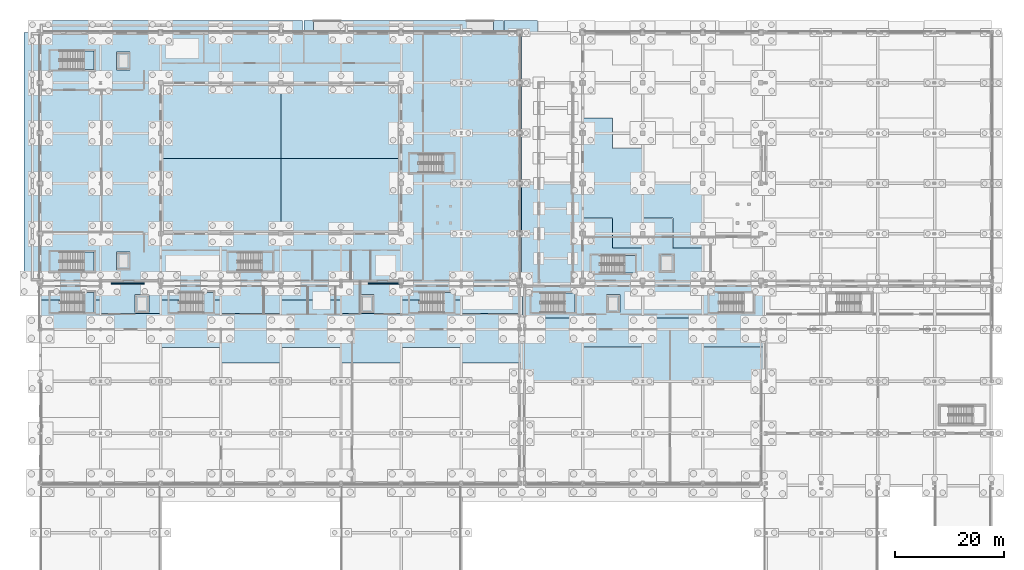
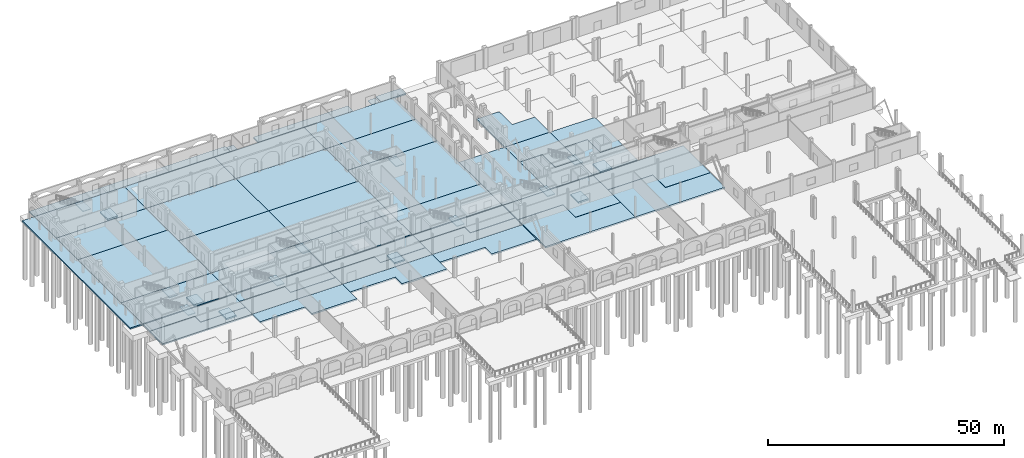
# One storey, part 37 of 83: 60 slabs, 9 elements without a shape of their own.
"""IFC4 building model written with IfcOpenShell, lengths in metres."""

import ifcopenshell
import ifcopenshell.guid

model = None  # the IFC model being written
_history = None  # IfcOwnerHistory: only IFC2X3 demands one
_inside = {}  # id of a spatial element -> (the spatial element, [elements in it])
_under = {}  # id of a project, library or spatial element -> (it, [spatial elements below it])
_declared = {}  # id of a project -> (the project, [libraries it declares])
_typed = {}  # id of a type object -> (the type object, [elements of that type])
_made_of = {}  # id of a material, layer set ... -> (it, [elements and type objects made of it])


def new_model(schema):
    """Start an empty IFC model of exactly this schema.

    Asked for "IFC4X3", IfcOpenShell would pick the latest addendum, in which some entities
    have other attributes; the version numbers below select the first issue.
    IFC2X3 requires an IfcOwnerHistory on every rooted entity: one is made here for all.
    """
    global model, _history
    if schema == "IFC4X3":
        model = ifcopenshell.file(schema_version=(4, 3, 0, 0))
    else:
        model = ifcopenshell.file(schema=schema)
    _inside.clear()
    _under.clear()
    _declared.clear()
    _typed.clear()
    _made_of.clear()
    _history = None
    if model.schema == "IFC2X3":
        org = make("IfcOrganization", Name="unknown")
        user = make(
            "IfcPersonAndOrganization",
            ThePerson=make("IfcPerson", FamilyName="unknown"),
            TheOrganization=org,
        )
        app = make(
            "IfcApplication",
            ApplicationDeveloper=org,
            Version="unknown",
            ApplicationFullName="unknown",
            ApplicationIdentifier="unknown",
        )
        _history = make(
            "IfcOwnerHistory",
            OwningUser=user,
            OwningApplication=app,
            ChangeAction="ADDED",
            CreationDate=0,
        )
    return model


def make(cls, **values):
    """One entity of the class cls with the attributes given. An attribute that is None is left unset."""
    return model.create_entity(
        cls, **{name: value for name, value in values.items() if value is not None}
    )


def rooted(cls, **values):
    """An entity with a GlobalId (a new one), such as an element, a storey or a relation."""
    return make(cls, GlobalId=ifcopenshell.guid.new(), OwnerHistory=_history, **values)


def si_unit(unit_type, name, prefix=None):
    """IfcSIUnit, for example si_unit("LENGTHUNIT", "METRE", prefix="MILLI")."""
    return make("IfcSIUnit", UnitType=unit_type, Prefix=prefix, Name=name)


def assignment(units):
    """IfcUnitAssignment: the units of a project."""
    return None if units is None else make("IfcUnitAssignment", Units=units)


def point(xyz):
    """IfcCartesianPoint."""
    return None if xyz is None else make("IfcCartesianPoint", Coordinates=xyz)


def direction(xyz):
    """IfcDirection."""
    return None if xyz is None else make("IfcDirection", DirectionRatios=xyz)


def frame(location, z_axis=None, x_axis=None):
    """IfcAxis2Placement3D, a coordinate frame: its origin and axes. An axis left out is left unset."""
    return make(
        "IfcAxis2Placement3D",
        Location=point(location),
        Axis=direction(z_axis),
        RefDirection=direction(x_axis),
    )


def origin():
    """The frame at (0, 0, 0) with its axes left unset."""
    return frame((0.0, 0.0, 0.0))


def place(relative_to, where):
    """IfcLocalPlacement: puts the frame where relative to a parent placement (None: the world)."""
    return make(
        "IfcLocalPlacement", PlacementRelTo=relative_to, RelativePlacement=where
    )


def context(
    kind, dimensions, precision=None, world=None, true_north=None, identifier=None
):
    """IfcGeometricRepresentationContext, for example the 3D "Model" context."""
    return make(
        "IfcGeometricRepresentationContext",
        ContextIdentifier=identifier,
        ContextType=kind,
        CoordinateSpaceDimension=dimensions,
        Precision=precision,
        WorldCoordinateSystem=world,
        TrueNorth=true_north,
    )


def subcontext(parent, identifier, kind, view, scale=None):
    """IfcGeometricRepresentationSubContext, for example "Body" below "Model"."""
    return make(
        "IfcGeometricRepresentationSubContext",
        ContextIdentifier=identifier,
        ContextType=kind,
        ParentContext=parent,
        TargetScale=scale,
        TargetView=view,
    )


def project(units=None, contexts=None):
    """IfcProject with its units and contexts."""
    return rooted(
        "IfcProject",
        Name="project",
        RepresentationContexts=contexts,
        UnitsInContext=assignment(units),
    )


def spatial(cls, under=None, at=None, **own):
    """A site, building, storey or space (cls), placed at a placement, below another one or the project."""
    s = rooted(cls, ObjectPlacement=at, **own)
    if under is not None:
        _under.setdefault(under.id(), (under, []))[1].append(s)
    return s


def polyline(points):
    """IfcPolyline through the points."""
    return make("IfcPolyline", Points=[point(p) for p in points])


def outline(outer, holes=None, kind="AREA"):
    """IfcArbitraryClosedProfileDef: a profile drawn as a closed curve; with holes, ...WithVoids."""
    if holes is None:
        return make("IfcArbitraryClosedProfileDef", ProfileType=kind, OuterCurve=outer)
    return make(
        "IfcArbitraryProfileDefWithVoids",
        ProfileType=kind,
        OuterCurve=outer,
        InnerCurves=holes,
    )


def extrude(swept, where, along, depth):
    """IfcExtrudedAreaSolid: the profile swept, set in the frame where, extruded along a direction by depth."""
    return make(
        "IfcExtrudedAreaSolid",
        SweptArea=swept,
        Position=where,
        ExtrudedDirection=direction(along),
        Depth=depth,
    )


def shape(context_of_items, identifier, shape_type, items):
    """IfcShapeRepresentation: the items that make up one representation, for example the "Body"."""
    return make(
        "IfcShapeRepresentation",
        ContextOfItems=context_of_items,
        RepresentationIdentifier=identifier,
        RepresentationType=shape_type,
        Items=items,
    )


def material(Name=None, Category=None):
    """IfcMaterial."""
    return make("IfcMaterial", Name=Name, Category=Category)


def layer(
    of_material, thickness, ventilated=None, Name=None, Category=None, Priority=None
):
    """IfcMaterialLayer: one layer of a wall or slab, of a material (None: an air gap)."""
    return make(
        "IfcMaterialLayer",
        Material=of_material,
        LayerThickness=thickness,
        IsVentilated=ventilated,
        Name=Name,
        Category=Category,
        Priority=Priority,
    )


def layer_set(layers, Name=None):
    """IfcMaterialLayerSet."""
    return make("IfcMaterialLayerSet", MaterialLayers=layers, LayerSetName=Name)


def made_of(thing, what):
    """Note that an element or type object is made of a material, layer set ...; save() writes the relation."""
    if what is not None:
        _made_of.setdefault(what.id(), (what, []))[1].append(thing)
    return thing


def type_object(cls, material=None, **own):
    """A type object (cls), such as IfcWallType, which elements share."""
    return made_of(rooted(cls, **own), material)


def element(
    cls,
    number,
    at=None,
    inside=None,
    cuts=None,
    type_object=None,
    material=None,
    context=None,
    identifier="Body",
    shape_type=None,
    held_by="IfcProductDefinitionShape",
    body=None,
    shapes=None,
    **own,
):
    """One element of the class cls, such as IfcWall. Its Tag is "e" and its number.

    at: its placement. inside: the storey or other place that contains it. cuts: it is an
    opening in that element (IfcRelVoidsElement). A single representation is given by context,
    identifier, shape_type and body (its items); several are given by shapes. held_by: the class
    of the entity that holds the representations. save() writes the other relations.
    """
    e = rooted(cls, Tag="e%d" % number, ObjectPlacement=at, **own)
    if body is not None:
        shapes = [shape(context, identifier, shape_type, body)]
    if shapes is not None:
        e.Representation = make(held_by, Representations=shapes)
    if inside is not None:
        _inside.setdefault(inside.id(), (inside, []))[1].append(e)
    if cuts is not None:
        rooted(
            "IfcRelVoidsElement", RelatingBuildingElement=cuts, RelatedOpeningElement=e
        )
    if type_object is not None:
        _typed.setdefault(type_object.id(), (type_object, []))[1].append(e)
    return made_of(e, material)


def aggregate(whole, parts):
    """IfcRelAggregates: a whole, such as a stair, and the parts it consists of."""
    return rooted("IfcRelAggregates", RelatingObject=whole, RelatedObjects=parts)


def save(model, path):
    """Write the relations noted so far, then the file.

    IfcRelAggregates (storeys below a building ...), IfcRelContainedInSpatialStructure (elements
    in a storey), IfcRelDefinesByType, IfcRelAssociatesMaterial and IfcRelDeclares: one each for
    every whole, place, type object, material and project.
    """
    for whole, parts in _under.values():
        aggregate(whole, parts)
    for where, things in _inside.values():
        rooted(
            "IfcRelContainedInSpatialStructure",
            RelatedElements=things,
            RelatingStructure=where,
        )
    for kind, things in _typed.values():
        rooted("IfcRelDefinesByType", RelatedObjects=things, RelatingType=kind)
    for what, things in _made_of.values():
        rooted("IfcRelAssociatesMaterial", RelatedObjects=things, RelatingMaterial=what)
    for by, libraries in _declared.values():
        rooted("IfcRelDeclares", RelatingContext=by, RelatedDefinitions=libraries)
    model.write(path)


model = new_model("IFC4")

# Units and contexts
model_context = context("Model", 3, precision=1e-05, world=origin(), true_north=direction((0.0, 1.0)))
body_context = subcontext(model_context, "Body", "Model", "MODEL_VIEW")
ifc_project = project(units=[si_unit("LENGTHUNIT", "METRE"), si_unit("AREAUNIT", "SQUARE_METRE"), si_unit("VOLUMEUNIT", "CUBIC_METRE"), si_unit("PLANEANGLEUNIT", "RADIAN"), si_unit("MASSUNIT", "GRAM", prefix="KILO")], contexts=[model_context])

# Site, building, storey
site_placement = place(None, origin())
site = spatial("IfcSite", under=ifc_project, at=site_placement, CompositionType="ELEMENT")
building_placement = place(site_placement, origin())
building = spatial("IfcBuilding", under=site, at=building_placement, Name="Caurita Quay Ferry Terminal", CompositionType="ELEMENT")
storey_placement = place(building_placement, origin())
storey = spatial("IfcBuildingStorey", under=building, at=storey_placement, Name="L00", CompositionType="ELEMENT", Elevation=0.0)

# Slabs
ifc_material_1 = material(Name="Reinforced concrete C35/45", Category="concrete")
ifc_layer_1 = layer(ifc_material_1, 0.219970703125, Name="Reinforced concrete floor slab 220 mm")
ifc_layer_set_1 = layer_set([ifc_layer_1], Name="Reinforced concrete C35/45")
slab_type_1 = type_object("IfcSlabType", Name="SLB-FLR-220", PredefinedType="FLOOR", material=ifc_layer_set_1)
slab_1_placement = place(storey_placement, frame((0.0, 0.0, -0.219970703125)))
element("IfcSlab", 1, at=slab_1_placement, inside=storey, type_object=slab_type_1, Name="L00 SJ4-W Slab 01", PredefinedType="FLOOR", context=body_context, shape_type="SweptSolid", body=[
    extrude(outline(polyline([(13.0, 71.0), (19.0, 71.0), (19.0, 71.18994140625), (13.0, 71.18994140625), (13.0, 71.0)])), origin(), (0.0, 0.0, 1.0), 0.219970703125),
])
slab_2_placement = place(storey_placement, frame((0.0, 0.0, -0.219970703125)))
element("IfcSlab", 2, at=slab_2_placement, inside=storey, type_object=slab_type_1, Name="L00 SJ4-E Slab 01", PredefinedType="FLOOR", context=body_context, shape_type="SweptSolid", body=[
    extrude(outline(polyline([(60.0, 71.0), (66.0, 71.0), (66.0, 71.18994140625), (60.0, 71.18994140625), (60.0, 71.0)])), origin(), (0.0, 0.0, 1.0), 0.219970703125),
])

# Stair, slab
stair_type_1 = type_object("IfcStairType", Name="STR-DL-01", PredefinedType="HALF_TURN_STAIR", material=ifc_material_1)
stair_1_placement = place(storey_placement, origin())
stair_1 = element("IfcStair", 3, at=stair_1_placement, inside=storey, type_object=stair_type_1, Name="L00 Protected Exit Stair ST-01", PredefinedType="HALF_TURN_STAIR")
ifc_layer_2 = layer(ifc_material_1, 0.199951171875, Name="Reinforced concrete landing slab 200 mm")
ifc_layer_set_2 = layer_set([ifc_layer_2], Name="Reinforced concrete C35/45")
slab_type_2 = type_object("IfcSlabType", Name="SLB-LND-200", PredefinedType="LANDING", material=ifc_layer_set_2)
slab_3_placement = place(storey_placement, frame((0.0, 0.0, 2.5)))
slab_3 = element("IfcSlab", 4, at=slab_3_placement, type_object=slab_type_2, Name="ST-01 landing 1", PredefinedType="LANDING", context=body_context, shape_type="SweptSolid", body=[
    extrude(outline(polyline([(7.949951171875, 110.199951171875), (9.85009765625, 110.199951171875), (9.85009765625, 113.659912109375), (7.949951171875, 113.659912109375), (7.949951171875, 110.199951171875)])), origin(), (0.0, 0.0, 1.0), 0.199951171875),
])
aggregate(stair_1, [slab_3])

stair_2_placement = place(storey_placement, origin())
stair_2 = element("IfcStair", 5, at=stair_2_placement, inside=storey, type_object=stair_type_1, Name="L00 Protected Exit Stair ST-02", PredefinedType="HALF_TURN_STAIR")
slab_4_placement = place(storey_placement, frame((0.0, 0.0, 2.5)))
slab_4 = element("IfcSlab", 6, at=slab_4_placement, type_object=slab_type_2, Name="ST-02 landing 1", PredefinedType="LANDING", context=body_context, shape_type="SweptSolid", body=[
    extrude(outline(polyline([(7.949951171875, 73.39990234375), (9.85009765625, 73.39990234375), (9.85009765625, 76.860107421875), (7.949951171875, 76.860107421875), (7.949951171875, 73.39990234375)])), origin(), (0.0, 0.0, 1.0), 0.199951171875),
])
aggregate(stair_2, [slab_4])

stair_type_2 = type_object("IfcStairType", Name="STR-DL-04", PredefinedType="HALF_TURN_STAIR", material=ifc_material_1)
stair_3_placement = place(storey_placement, origin())
stair_3 = element("IfcStair", 7, at=stair_3_placement, inside=storey, type_object=stair_type_2, Name="L00 Protected Exit Stair ST-03", PredefinedType="HALF_TURN_STAIR")
slab_5_placement = place(storey_placement, frame((0.0, 0.0, 2.5)))
slab_5 = element("IfcSlab", 8, at=slab_5_placement, type_object=slab_type_2, Name="ST-03 landing 1", PredefinedType="LANDING", context=body_context, shape_type="SweptSolid", body=[
    extrude(outline(polyline([(40.5, 73.39990234375), (42.449951171875, 73.39990234375), (42.449951171875, 76.760009765625), (40.5, 76.760009765625), (40.5, 73.39990234375)])), origin(), (0.0, 0.0, 1.0), 0.199951171875),
])
aggregate(stair_3, [slab_5])

stair_4_placement = place(storey_placement, origin())
stair_4 = element("IfcStair", 9, at=stair_4_placement, inside=storey, type_object=stair_type_2, Name="L00 Protected Exit Stair ST-04", PredefinedType="HALF_TURN_STAIR")
slab_6_placement = place(storey_placement, frame((0.0, 0.0, 2.5)))
slab_6 = element("IfcSlab", 10, at=slab_6_placement, type_object=slab_type_2, Name="ST-04 landing 1", PredefinedType="LANDING", context=body_context, shape_type="SweptSolid", body=[
    extrude(outline(polyline([(73.699951171875, 91.39990234375), (75.64990234375, 91.39990234375), (75.64990234375, 94.760009765625), (73.699951171875, 94.760009765625), (73.699951171875, 91.39990234375)])), origin(), (0.0, 0.0, 1.0), 0.199951171875),
])
aggregate(stair_4, [slab_6])

stair_type_3 = type_object("IfcStairType", Name="STR-DL-07", PredefinedType="HALF_TURN_STAIR", material=ifc_material_1)
stair_5_placement = place(storey_placement, origin())
stair_5 = element("IfcStair", 11, at=stair_5_placement, inside=storey, type_object=stair_type_3, Name="L00 Protected Exit Stair ST-05", PredefinedType="HALF_TURN_STAIR")
slab_7_placement = place(storey_placement, frame((0.0, 0.0, 2.5)))
slab_7 = element("IfcSlab", 12, at=slab_7_placement, type_object=slab_type_2, Name="ST-05 landing 1", PredefinedType="LANDING", context=body_context, shape_type="SweptSolid", body=[
    extrude(outline(polyline([(8.050048828125, 65.800048828125), (9.85009765625, 65.800048828125), (9.85009765625, 69.4599609375), (8.050048828125, 69.4599609375), (8.050048828125, 65.800048828125)])), origin(), (0.0, 0.0, 1.0), 0.199951171875),
])
aggregate(stair_5, [slab_7])

stair_6_placement = place(storey_placement, origin())
stair_6 = element("IfcStair", 13, at=stair_6_placement, inside=storey, type_object=stair_type_3, Name="L00 Protected Exit Stair ST-06", PredefinedType="HALF_TURN_STAIR")
slab_8_placement = place(storey_placement, frame((0.0, 0.0, 2.5)))
slab_8 = element("IfcSlab", 14, at=slab_8_placement, type_object=slab_type_2, Name="ST-06 landing 1", PredefinedType="LANDING", context=body_context, shape_type="SweptSolid", body=[
    extrude(outline(polyline([(29.85009765625, 65.800048828125), (31.64990234375, 65.800048828125), (31.64990234375, 69.4599609375), (29.85009765625, 69.4599609375), (29.85009765625, 65.800048828125)])), origin(), (0.0, 0.0, 1.0), 0.199951171875),
])
aggregate(stair_6, [slab_8])

stair_7_placement = place(storey_placement, origin())
stair_7 = element("IfcStair", 15, at=stair_7_placement, inside=storey, type_object=stair_type_3, Name="L00 Protected Exit Stair ST-07", PredefinedType="HALF_TURN_STAIR")
slab_9_placement = place(storey_placement, frame((0.0, 0.0, 2.5)))
slab_9 = element("IfcSlab", 16, at=slab_9_placement, type_object=slab_type_2, Name="ST-07 landing 1", PredefinedType="LANDING", context=body_context, shape_type="SweptSolid", body=[
    extrude(outline(polyline([(73.85009765625, 65.800048828125), (75.64990234375, 65.800048828125), (75.64990234375, 69.4599609375), (73.85009765625, 69.4599609375), (73.85009765625, 65.800048828125)])), origin(), (0.0, 0.0, 1.0), 0.199951171875),
])
aggregate(stair_7, [slab_9])

stair_type_4 = type_object("IfcStairType", Name="STR-DL-10", PredefinedType="HALF_TURN_STAIR", material=ifc_material_1)
stair_8_placement = place(storey_placement, origin())
stair_8 = element("IfcStair", 17, at=stair_8_placement, inside=storey, type_object=stair_type_4, Name="L00 Protected Exit Stair ST-08", PredefinedType="HALF_TURN_STAIR")
slab_10_placement = place(storey_placement, frame((0.0, 0.0, 2.5)))
slab_10 = element("IfcSlab", 18, at=slab_10_placement, type_object=slab_type_2, Name="ST-08 landing 1", PredefinedType="LANDING", context=body_context, shape_type="SweptSolid", body=[
    extrude(outline(polyline([(96.0, 65.800048828125), (97.85009765625, 65.800048828125), (97.85009765625, 69.360107421875), (96.0, 69.360107421875), (96.0, 65.800048828125)])), origin(), (0.0, 0.0, 1.0), 0.199951171875),
])
aggregate(stair_8, [slab_10])

stair_type_5 = type_object("IfcStairType", Name="STR-DL-12", PredefinedType="HALF_TURN_STAIR", material=ifc_material_1)
stair_9_placement = place(storey_placement, origin())
stair_9 = element("IfcStair", 19, at=stair_9_placement, inside=storey, type_object=stair_type_5, Name="L00 Protected Exit Stair ST-12", PredefinedType="HALF_TURN_STAIR")
slab_11_placement = place(storey_placement, frame((0.0, 0.0, 2.5)))
slab_11 = element("IfcSlab", 20, at=slab_11_placement, type_object=slab_type_2, Name="ST-12 landing 1", PredefinedType="LANDING", context=body_context, shape_type="SweptSolid", body=[
    extrude(outline(polyline([(106.85009765625, 73.0), (108.85009765625, 73.0), (108.85009765625, 76.260009765625), (106.85009765625, 76.260009765625), (106.85009765625, 73.0)])), origin(), (0.0, 0.0, 1.0), 0.199951171875),
])
aggregate(stair_9, [slab_11])

# Slabs
slab_12_placement = place(storey_placement, frame((0.0, 0.0, -0.550048828125)))
element("IfcSlab", 21, at=slab_12_placement, inside=storey, type_object=slab_type_2, Name="Forecourt West Accessible Entry Ramp Lower Threshold Landing", PredefinedType="LANDING", context=body_context, shape_type="SweptSolid", body=[
    extrude(outline(polyline([(48.199951171875, 117.14990234375), (50.0, 117.14990234375), (50.0, 119.25), (48.199951171875, 119.25), (48.199951171875, 117.14990234375)])), origin(), (0.0, 0.0, 1.0), 0.199951171875),
])
slab_13_placement = place(storey_placement, frame((0.0, 0.0, -0.550048828125)))
element("IfcSlab", 22, at=slab_13_placement, inside=storey, type_object=slab_type_2, Name="Forecourt East Accessible Entry Ramp Lower Threshold Landing", PredefinedType="LANDING", context=body_context, shape_type="SweptSolid", body=[
    extrude(outline(polyline([(82.89990234375, 117.14990234375), (84.699951171875, 117.14990234375), (84.699951171875, 119.25), (82.89990234375, 119.25), (82.89990234375, 117.14990234375)])), origin(), (0.0, 0.0, 1.0), 0.199951171875),
])
ifc_material_2 = material(Name="Marine reinforced concrete C40/50", Category="concrete")
ifc_layer_3 = layer(ifc_material_2, 0.340087890625, Name="Reinforced concrete baseslab slab 340 mm")
ifc_layer_set_3 = layer_set([ifc_layer_3], Name="Marine reinforced concrete C40/50")
slab_type_3 = type_object("IfcSlabType", Name="SLB-QUAY-340", PredefinedType="BASESLAB", material=ifc_layer_set_3)
slab_14_placement = place(storey_placement, frame((0.0, 0.0, -0.340087890625)))
element("IfcSlab", 23, at=slab_14_placement, inside=storey, type_object=slab_type_3, Name="L00 NTH-WLK1 Slab 01", PredefinedType="BASESLAB", context=body_context, shape_type="SweptSolid", body=[
    extrude(outline(polyline([(0.0, 117.02001953125), (47.949951171875, 117.02001953125), (47.949951171875, 119.25), (0.0, 119.25), (0.0, 117.02001953125)])), origin(), (0.0, 0.0, 1.0), 0.340087890625),
])
slab_15_placement = place(storey_placement, frame((0.0, 0.0, -0.340087890625)))
element("IfcSlab", 24, at=slab_15_placement, inside=storey, type_object=slab_type_3, Name="L00 NTH-WLK3 Slab 01", PredefinedType="BASESLAB", context=body_context, shape_type="SweptSolid", body=[
    extrude(outline(polyline([(84.85009765625, 117.02001953125), (90.969970703125, 117.02001953125), (90.969970703125, 119.25), (84.85009765625, 119.25), (84.85009765625, 117.02001953125)])), origin(), (0.0, 0.0, 1.0), 0.340087890625),
])
slab_16_placement = place(storey_placement, frame((0.0, 0.0, -0.340087890625)))
element("IfcSlab", 25, at=slab_16_placement, inside=storey, type_object=slab_type_3, Name="L00 WST-WLK Slab 01", PredefinedType="BASESLAB", context=body_context, shape_type="SweptSolid", body=[
    extrude(outline(polyline([(-3.0, 71.199951171875), (0.0, 71.199951171875), (0.0, 117.0), (-3.0, 117.0), (-3.0, 71.199951171875)])), origin(), (0.0, 0.0, 1.0), 0.340087890625),
])
ifc_layer_4 = layer(ifc_material_2, 0.39990234375, Name="Reinforced concrete baseslab slab 400 mm")
ifc_layer_set_4 = layer_set([ifc_layer_4], Name="Marine reinforced concrete C40/50")
slab_type_4 = type_object("IfcSlabType", Name="SLB-QUAY-400", PredefinedType="BASESLAB", material=ifc_layer_set_4)
slab_17_placement = place(storey_placement, frame((0.0, 0.0, -0.39990234375)))
element("IfcSlab", 26, at=slab_17_placement, inside=storey, type_object=slab_type_4, Name="L00 V1-BASE Slab 02A", PredefinedType="BASESLAB", context=body_context, shape_type="SweptSolid", body=[
    extrude(outline(polyline([(0.0, 62.699951171875), (22.0, 62.699951171875), (22.0, 65.590087890625), (10.985107421875, 65.590087890625), (10.985107421875, 68.080078125), (0.0, 68.080078125), (0.0, 62.699951171875)])), origin(), (0.0, 0.0, 1.0), 0.39990234375),
])
slab_18_placement = place(storey_placement, frame((0.0, 0.0, -0.39990234375)))
element("IfcSlab", 27, at=slab_18_placement, inside=storey, type_object=slab_type_4, Name="L00 V1-BASE Slab 02B", PredefinedType="BASESLAB", context=body_context, shape_type="SweptSolid", body=[
    extrude(outline(polyline([(11.014892578125, 65.6201171875), (22.0, 65.6201171875), (22.0, 71.0), (0.0, 71.0), (0.0, 68.110107421875), (11.014892578125, 68.110107421875), (11.014892578125, 65.6201171875)])), origin(), (0.0, 0.0, 1.0), 0.39990234375),
])
slab_19_placement = place(storey_placement, frame((0.0, 0.0, -0.39990234375)))
element("IfcSlab", 28, at=slab_19_placement, inside=storey, type_object=slab_type_4, Name="L00 V1-BASE Slab 03B", PredefinedType="BASESLAB", context=body_context, shape_type="SweptSolid", body=[
    extrude(outline(polyline([(33.014892578125, 56.5400390625), (44.0, 56.5400390625), (44.0, 62.699951171875), (22.0, 62.699951171875), (22.0, 59.389892578125), (33.014892578125, 59.389892578125), (33.014892578125, 56.5400390625)])), origin(), (0.0, 0.0, 1.0), 0.39990234375),
])
slab_20_placement = place(storey_placement, frame((0.0, 0.0, -0.39990234375)))
element("IfcSlab", 29, at=slab_20_placement, inside=storey, type_object=slab_type_4, Name="L00 V1-BASE Slab 04A", PredefinedType="BASESLAB", context=body_context, shape_type="SweptSolid", body=[
    extrude(outline(polyline([(22.0, 62.699951171875), (44.0, 62.699951171875), (44.0, 65.590087890625), (32.985107421875, 65.590087890625), (32.985107421875, 68.080078125), (22.0, 68.080078125), (22.0, 62.699951171875)])), origin(), (0.0, 0.0, 1.0), 0.39990234375),
])
slab_21_placement = place(storey_placement, frame((0.0, 0.0, -0.39990234375)))
element("IfcSlab", 30, at=slab_21_placement, inside=storey, type_object=slab_type_4, Name="L00 V1-BASE Slab 04B", PredefinedType="BASESLAB", context=body_context, shape_type="SweptSolid", body=[
    extrude(outline(polyline([(33.014892578125, 65.6201171875), (44.0, 65.6201171875), (44.0, 71.0), (22.0, 71.0), (22.0, 68.110107421875), (33.014892578125, 68.110107421875), (33.014892578125, 65.6201171875)])), origin(), (0.0, 0.0, 1.0), 0.39990234375),
])
slab_22_placement = place(storey_placement, frame((0.0, 0.0, -0.39990234375)))
element("IfcSlab", 31, at=slab_22_placement, inside=storey, type_object=slab_type_4, Name="L00 V1-BASE Slab 05B", PredefinedType="BASESLAB", context=body_context, shape_type="SweptSolid", body=[
    extrude(outline(polyline([(55.014892578125, 56.5400390625), (66.0, 56.5400390625), (66.0, 62.699951171875), (44.0, 62.699951171875), (44.0, 59.389892578125), (55.014892578125, 59.389892578125), (55.014892578125, 56.5400390625)])), origin(), (0.0, 0.0, 1.0), 0.39990234375),
])
slab_23_placement = place(storey_placement, frame((0.0, 0.0, -0.39990234375)))
element("IfcSlab", 32, at=slab_23_placement, inside=storey, type_object=slab_type_4, Name="L00 V1-BASE Slab 06A", PredefinedType="BASESLAB", context=body_context, shape_type="SweptSolid", body=[
    extrude(outline(polyline([(44.0, 62.699951171875), (66.0, 62.699951171875), (66.0, 65.590087890625), (54.985107421875, 65.590087890625), (54.985107421875, 68.080078125), (44.0, 68.080078125), (44.0, 62.699951171875)])), origin(), (0.0, 0.0, 1.0), 0.39990234375),
])
slab_24_placement = place(storey_placement, frame((0.0, 0.0, -0.39990234375)))
element("IfcSlab", 33, at=slab_24_placement, inside=storey, type_object=slab_type_4, Name="L00 V1-BASE Slab 06B", PredefinedType="BASESLAB", context=body_context, shape_type="SweptSolid", body=[
    extrude(outline(polyline([(55.014892578125, 65.6201171875), (66.0, 65.6201171875), (66.0, 71.0), (44.0, 71.0), (44.0, 68.110107421875), (55.014892578125, 68.110107421875), (55.014892578125, 65.6201171875)])), origin(), (0.0, 0.0, 1.0), 0.39990234375),
])
slab_25_placement = place(storey_placement, frame((0.0, 0.0, -0.39990234375)))
element("IfcSlab", 34, at=slab_25_placement, inside=storey, type_object=slab_type_4, Name="L00 V1-BASE Slab 07B", PredefinedType="BASESLAB", context=body_context, shape_type="SweptSolid", body=[
    extrude(outline(polyline([(77.014892578125, 56.5400390625), (88.0, 56.5400390625), (88.0, 62.699951171875), (66.0, 62.699951171875), (66.0, 59.389892578125), (77.014892578125, 59.389892578125), (77.014892578125, 56.5400390625)])), origin(), (0.0, 0.0, 1.0), 0.39990234375),
])
slab_26_placement = place(storey_placement, frame((0.0, 0.0, -0.39990234375)))
element("IfcSlab", 35, at=slab_26_placement, inside=storey, type_object=slab_type_4, Name="L00 V1-BASE Slab 08A", PredefinedType="BASESLAB", context=body_context, shape_type="SweptSolid", body=[
    extrude(outline(polyline([(66.0, 62.699951171875), (88.0, 62.699951171875), (88.0, 65.590087890625), (76.985107421875, 65.590087890625), (76.985107421875, 68.080078125), (66.0, 68.080078125), (66.0, 62.699951171875)])), origin(), (0.0, 0.0, 1.0), 0.39990234375),
])
slab_27_placement = place(storey_placement, frame((0.0, 0.0, -0.39990234375)))
element("IfcSlab", 36, at=slab_27_placement, inside=storey, type_object=slab_type_4, Name="L00 V1-BASE Slab 08B", PredefinedType="BASESLAB", context=body_context, shape_type="SweptSolid", body=[
    extrude(outline(polyline([(77.014892578125, 65.6201171875), (88.0, 65.6201171875), (88.0, 71.0), (66.0, 71.0), (66.0, 68.110107421875), (77.014892578125, 68.110107421875), (77.014892578125, 65.6201171875)])), origin(), (0.0, 0.0, 1.0), 0.39990234375),
])
slab_28_placement = place(storey_placement, frame((0.0, 0.0, -0.39990234375)))
element("IfcSlab", 37, at=slab_28_placement, inside=storey, type_object=slab_type_4, Name="L00 V2-BASE Slab 02A", PredefinedType="BASESLAB", context=body_context, shape_type="SweptSolid", body=[
    extrude(outline(polyline([(88.199951171875, 53.199951171875), (110.199951171875, 53.199951171875), (110.199951171875, 59.4150390625), (99.18505859375, 59.4150390625), (99.18505859375, 64.7548828125), (88.199951171875, 64.7548828125), (88.199951171875, 53.199951171875)])), origin(), (0.0, 0.0, 1.0), 0.39990234375),
])
slab_29_placement = place(storey_placement, frame((0.0, 0.0, -0.39990234375)))
element("IfcSlab", 38, at=slab_29_placement, inside=storey, type_object=slab_type_4, Name="L00 V2-BASE Slab 02B", PredefinedType="BASESLAB", context=body_context, shape_type="SweptSolid", body=[
    extrude(outline(polyline([(99.215087890625, 59.445068359375), (110.199951171875, 59.445068359375), (110.199951171875, 71.0), (88.199951171875, 71.0), (88.199951171875, 64.784912109375), (99.215087890625, 64.784912109375), (99.215087890625, 59.445068359375)])), origin(), (0.0, 0.0, 1.0), 0.39990234375),
])
slab_30_placement = place(storey_placement, frame((0.0, 0.0, -0.39990234375)))
element("IfcSlab", 39, at=slab_30_placement, inside=storey, type_object=slab_type_4, Name="L00 V2-BASE Slab 04A", PredefinedType="BASESLAB", context=body_context, shape_type="SweptSolid", body=[
    extrude(outline(polyline([(110.199951171875, 53.199951171875), (132.199951171875, 53.199951171875), (132.199951171875, 59.4150390625), (121.18505859375, 59.4150390625), (121.18505859375, 64.7548828125), (110.199951171875, 64.7548828125), (110.199951171875, 53.199951171875)])), origin(), (0.0, 0.0, 1.0), 0.39990234375),
])
slab_31_placement = place(storey_placement, frame((0.0, 0.0, -0.39990234375)))
element("IfcSlab", 40, at=slab_31_placement, inside=storey, type_object=slab_type_4, Name="L00 V2-BASE Slab 04B", PredefinedType="BASESLAB", context=body_context, shape_type="SweptSolid", body=[
    extrude(outline(polyline([(121.215087890625, 59.445068359375), (132.199951171875, 59.445068359375), (132.199951171875, 71.0), (110.199951171875, 71.0), (110.199951171875, 64.784912109375), (121.215087890625, 64.784912109375), (121.215087890625, 59.445068359375)])), origin(), (0.0, 0.0, 1.0), 0.39990234375),
])
slab_32_placement = place(storey_placement, frame((0.0, 0.0, -0.39990234375)))
element("IfcSlab", 41, at=slab_32_placement, inside=storey, type_object=slab_type_4, Name="L00 V4W-BASE Slab 01A", PredefinedType="BASESLAB", context=body_context, shape_type="SweptSolid", body=[
    extrude(outline(polyline([(99.199951171875, 71.199951171875), (110.199951171875, 71.199951171875), (110.199951171875, 77.554931640625), (104.68505859375, 77.554931640625), (104.68505859375, 83.014892578125), (99.199951171875, 83.014892578125), (99.199951171875, 71.199951171875)])), origin(), (0.0, 0.0, 1.0), 0.39990234375),
])
slab_33_placement = place(storey_placement, frame((0.0, 0.0, -0.39990234375)))
element("IfcSlab", 42, at=slab_33_placement, inside=storey, type_object=slab_type_4, Name="L00 V4W-BASE Slab 01B", PredefinedType="BASESLAB", context=body_context, shape_type="SweptSolid", body=[
    extrude(outline(polyline([(104.715087890625, 77.5849609375), (110.199951171875, 77.5849609375), (110.199951171875, 89.39990234375), (99.199951171875, 89.39990234375), (99.199951171875, 83.044921875), (104.715087890625, 83.044921875), (104.715087890625, 77.5849609375)])), origin(), (0.0, 0.0, 1.0), 0.39990234375),
])
slab_34_placement = place(storey_placement, frame((0.0, 0.0, -0.39990234375)))
element("IfcSlab", 43, at=slab_34_placement, inside=storey, type_object=slab_type_4, Name="L00 V4W-BASE Slab 02A", PredefinedType="BASESLAB", context=body_context, shape_type="SweptSolid", body=[
    extrude(outline(polyline([(99.199951171875, 89.39990234375), (110.199951171875, 89.39990234375), (110.199951171875, 95.824951171875), (104.68505859375, 95.824951171875), (104.68505859375, 101.344970703125), (99.199951171875, 101.344970703125), (99.199951171875, 89.39990234375)])), origin(), (0.0, 0.0, 1.0), 0.39990234375),
])
slab_35_placement = place(storey_placement, frame((0.0, 0.0, -0.39990234375)))
element("IfcSlab", 44, at=slab_35_placement, inside=storey, type_object=slab_type_4, Name="L00 V4W-BASE Slab 04A", PredefinedType="BASESLAB", context=body_context, shape_type="SweptSolid", body=[
    extrude(outline(polyline([(110.199951171875, 71.199951171875), (121.199951171875, 71.199951171875), (121.199951171875, 77.554931640625), (115.68505859375, 77.554931640625), (115.68505859375, 83.014892578125), (110.199951171875, 83.014892578125), (110.199951171875, 71.199951171875)])), origin(), (0.0, 0.0, 1.0), 0.39990234375),
])
slab_36_placement = place(storey_placement, frame((0.0, 0.0, -0.39990234375)))
element("IfcSlab", 45, at=slab_36_placement, inside=storey, type_object=slab_type_4, Name="L00 V4W-BASE Slab 04B", PredefinedType="BASESLAB", context=body_context, shape_type="SweptSolid", body=[
    extrude(outline(polyline([(115.715087890625, 77.5849609375), (121.199951171875, 77.5849609375), (121.199951171875, 89.39990234375), (110.199951171875, 89.39990234375), (110.199951171875, 83.044921875), (115.715087890625, 83.044921875), (115.715087890625, 77.5849609375)])), origin(), (0.0, 0.0, 1.0), 0.39990234375),
])
slab_37_placement = place(storey_placement, frame((0.0, 0.0, -0.39990234375)))
element("IfcSlab", 46, at=slab_37_placement, inside=storey, type_object=slab_type_4, Name="L00 V5-BASE Slab 01", PredefinedType="BASESLAB", context=body_context, shape_type="SweptSolid", body=[
    extrude(outline(polyline([(0.0, 71.199951171875), (22.0, 71.199951171875), (22.0, 80.199951171875), (0.0, 80.199951171875), (0.0, 71.199951171875)])), origin(), (0.0, 0.0, 1.0), 0.39990234375),
])
slab_38_placement = place(storey_placement, frame((0.0, 0.0, -0.39990234375)))
element("IfcSlab", 47, at=slab_38_placement, inside=storey, type_object=slab_type_4, Name="L00 V5-BASE Slab 02", PredefinedType="BASESLAB", context=body_context, shape_type="SweptSolid", body=[
    extrude(outline(polyline([(0.0, 80.199951171875), (22.0, 80.199951171875), (22.0, 98.60009765625), (0.0, 98.60009765625), (0.0, 80.199951171875)])), origin(), (0.0, 0.0, 1.0), 0.39990234375),
])
slab_39_placement = place(storey_placement, frame((0.0, 0.0, -0.39990234375)))
element("IfcSlab", 48, at=slab_39_placement, inside=storey, type_object=slab_type_4, Name="L00 V5-BASE Slab 03", PredefinedType="BASESLAB", context=body_context, shape_type="SweptSolid", body=[
    extrude(outline(polyline([(0.0, 98.60009765625), (22.0, 98.60009765625), (22.0, 107.800048828125), (0.0, 107.800048828125), (0.0, 98.60009765625)])), origin(), (0.0, 0.0, 1.0), 0.39990234375),
])
slab_40_placement = place(storey_placement, frame((0.0, 0.0, -0.39990234375)))
element("IfcSlab", 49, at=slab_40_placement, inside=storey, type_object=slab_type_4, Name="L00 V5-BASE Slab 04", PredefinedType="BASESLAB", context=body_context, shape_type="SweptSolid", body=[
    extrude(outline(polyline([(0.0, 107.800048828125), (22.0, 107.800048828125), (22.0, 117.0), (0.0, 117.0), (0.0, 107.800048828125)])), origin(), (0.0, 0.0, 1.0), 0.39990234375),
])
slab_41_placement = place(storey_placement, frame((0.0, 0.0, -0.39990234375)))
element("IfcSlab", 50, at=slab_41_placement, inside=storey, type_object=slab_type_4, Name="L00 V5-BASE Slab 05", PredefinedType="BASESLAB", context=body_context, shape_type="SweptSolid", body=[
    extrude(outline(polyline([(22.0, 71.199951171875), (44.0, 71.199951171875), (44.0, 80.199951171875), (22.0, 80.199951171875), (22.0, 71.199951171875)])), origin(), (0.0, 0.0, 1.0), 0.39990234375),
])
slab_42_placement = place(storey_placement, frame((0.0, 0.0, -0.39990234375)))
element("IfcSlab", 51, at=slab_42_placement, inside=storey, type_object=slab_type_4, Name="L00 V5-BASE Slab 06", PredefinedType="BASESLAB", context=body_context, shape_type="SweptSolid", body=[
    extrude(outline(polyline([(22.0, 107.800048828125), (44.0, 107.800048828125), (44.0, 117.0), (22.0, 117.0), (22.0, 107.800048828125)])), origin(), (0.0, 0.0, 1.0), 0.39990234375),
])
slab_43_placement = place(storey_placement, frame((0.0, 0.0, -0.39990234375)))
element("IfcSlab", 52, at=slab_43_placement, inside=storey, type_object=slab_type_4, Name="L00 V5-BASE Slab 07", PredefinedType="BASESLAB", context=body_context, shape_type="SweptSolid", body=[
    extrude(outline(polyline([(44.0, 71.199951171875), (66.0, 71.199951171875), (66.0, 80.199951171875), (44.0, 80.199951171875), (44.0, 71.199951171875)])), origin(), (0.0, 0.0, 1.0), 0.39990234375),
])
slab_44_placement = place(storey_placement, frame((0.0, 0.0, -0.39990234375)))
element("IfcSlab", 53, at=slab_44_placement, inside=storey, type_object=slab_type_4, Name="L00 V5-BASE Slab 08", PredefinedType="BASESLAB", context=body_context, shape_type="SweptSolid", body=[
    extrude(outline(polyline([(44.0, 107.800048828125), (66.0, 107.800048828125), (66.0, 117.0), (44.0, 117.0), (44.0, 107.800048828125)])), origin(), (0.0, 0.0, 1.0), 0.39990234375),
])
slab_45_placement = place(storey_placement, frame((0.0, 0.0, -0.39990234375)))
element("IfcSlab", 54, at=slab_45_placement, inside=storey, type_object=slab_type_4, Name="L00 V5-BASE Slab 09", PredefinedType="BASESLAB", context=body_context, shape_type="SweptSolid", body=[
    extrude(outline(polyline([(66.0, 71.199951171875), (88.0, 71.199951171875), (88.0, 80.199951171875), (66.0, 80.199951171875), (66.0, 71.199951171875)])), origin(), (0.0, 0.0, 1.0), 0.39990234375),
])
slab_46_placement = place(storey_placement, frame((0.0, 0.0, -0.39990234375)))
element("IfcSlab", 55, at=slab_46_placement, inside=storey, type_object=slab_type_4, Name="L00 V5-BASE Slab 10", PredefinedType="BASESLAB", context=body_context, shape_type="SweptSolid", body=[
    extrude(outline(polyline([(66.0, 80.199951171875), (88.0, 80.199951171875), (88.0, 98.60009765625), (66.0, 98.60009765625), (66.0, 80.199951171875)])), origin(), (0.0, 0.0, 1.0), 0.39990234375),
])
slab_47_placement = place(storey_placement, frame((0.0, 0.0, -0.39990234375)))
element("IfcSlab", 56, at=slab_47_placement, inside=storey, type_object=slab_type_4, Name="L00 V5-BASE Slab 11", PredefinedType="BASESLAB", context=body_context, shape_type="SweptSolid", body=[
    extrude(outline(polyline([(66.0, 98.60009765625), (88.0, 98.60009765625), (88.0, 107.800048828125), (66.0, 107.800048828125), (66.0, 98.60009765625)])), origin(), (0.0, 0.0, 1.0), 0.39990234375),
])
slab_48_placement = place(storey_placement, frame((0.0, 0.0, -0.39990234375)))
element("IfcSlab", 57, at=slab_48_placement, inside=storey, type_object=slab_type_4, Name="L00 V5-BASE Slab 12", PredefinedType="BASESLAB", context=body_context, shape_type="SweptSolid", body=[
    extrude(outline(polyline([(66.0, 107.800048828125), (88.0, 107.800048828125), (88.0, 117.0), (66.0, 117.0), (66.0, 107.800048828125)])), origin(), (0.0, 0.0, 1.0), 0.39990234375),
])
slab_49_placement = place(storey_placement, frame((0.0, 0.0, -0.39990234375)))
element("IfcSlab", 58, at=slab_49_placement, inside=storey, type_object=slab_type_4, Name="L00 NTH-WLK2 Slab 01", PredefinedType="BASESLAB", context=body_context, shape_type="SweptSolid", body=[
    extrude(outline(polyline([(54.85009765625, 117.02001953125), (78.050048828125, 117.02001953125), (78.050048828125, 119.25), (54.85009765625, 119.25), (54.85009765625, 117.02001953125)])), origin(), (0.0, 0.0, 1.0), 0.39990234375),
])
slab_50_placement = place(storey_placement, frame((0.0, 0.0, -1.800048828125)))
element("IfcSlab", 59, at=slab_50_placement, inside=storey, type_object=slab_type_4, Name="Lift LF-01 Pit Base Slab", PredefinedType="BASESLAB", context=body_context, shape_type="SweptSolid", body=[
    extrude(outline(polyline([(13.955078125, 110.155029296875), (16.445068359375, 110.155029296875), (16.445068359375, 113.445068359375), (13.955078125, 113.445068359375), (13.955078125, 110.155029296875)])), origin(), (0.0, 0.0, 1.0), 0.400146484375),
])
slab_51_placement = place(storey_placement, frame((0.0, 0.0, -1.800048828125)))
element("IfcSlab", 60, at=slab_51_placement, inside=storey, type_object=slab_type_4, Name="Lift LF-02 Pit Base Slab", PredefinedType="BASESLAB", context=body_context, shape_type="SweptSolid", body=[
    extrude(outline(polyline([(13.955078125, 73.554931640625), (16.445068359375, 73.554931640625), (16.445068359375, 76.844970703125), (13.955078125, 76.844970703125), (13.955078125, 73.554931640625)])), origin(), (0.0, 0.0, 1.0), 0.400146484375),
])
slab_52_placement = place(storey_placement, frame((0.0, 0.0, -1.800048828125)))
element("IfcSlab", 61, at=slab_52_placement, inside=storey, type_object=slab_type_4, Name="Lift LP-01 Pit Base Slab", PredefinedType="BASESLAB", context=body_context, shape_type="SweptSolid", body=[
    extrude(outline(polyline([(17.35498046875, 65.7548828125), (19.844970703125, 65.7548828125), (19.844970703125, 69.044921875), (17.35498046875, 69.044921875), (17.35498046875, 65.7548828125)])), origin(), (0.0, 0.0, 1.0), 0.400146484375),
])
slab_53_placement = place(storey_placement, frame((0.0, 0.0, -1.800048828125)))
element("IfcSlab", 62, at=slab_53_placement, inside=storey, type_object=slab_type_4, Name="Lift LP-02 Pit Base Slab", PredefinedType="BASESLAB", context=body_context, shape_type="SweptSolid", body=[
    extrude(outline(polyline([(58.554931640625, 65.7548828125), (61.044921875, 65.7548828125), (61.044921875, 69.044921875), (58.554931640625, 69.044921875), (58.554931640625, 65.7548828125)])), origin(), (0.0, 0.0, 1.0), 0.400146484375),
])
slab_54_placement = place(storey_placement, frame((0.0, 0.0, -1.800048828125)))
element("IfcSlab", 63, at=slab_54_placement, inside=storey, type_object=slab_type_4, Name="Lift LP-03 Pit Base Slab", PredefinedType="BASESLAB", context=body_context, shape_type="SweptSolid", body=[
    extrude(outline(polyline([(103.554931640625, 65.7548828125), (106.044921875, 65.7548828125), (106.044921875, 69.044921875), (103.554931640625, 69.044921875), (103.554931640625, 65.7548828125)])), origin(), (0.0, 0.0, 1.0), 0.400146484375),
])
slab_55_placement = place(storey_placement, frame((0.0, 0.0, -1.800048828125)))
element("IfcSlab", 64, at=slab_55_placement, inside=storey, type_object=slab_type_4, Name="Lift LG-01 Pit Base Slab", PredefinedType="BASESLAB", context=body_context, shape_type="SweptSolid", body=[
    extrude(outline(polyline([(113.179931640625, 73.080078125), (116.02001953125, 73.080078125), (116.02001953125, 76.52001953125), (113.179931640625, 76.52001953125), (113.179931640625, 73.080078125)])), origin(), (0.0, 0.0, 1.0), 0.400146484375),
])
ifc_layer_5 = layer(ifc_material_2, 0.360107421875, Name="Reinforced concrete baseslab slab 360 mm")
ifc_layer_set_5 = layer_set([ifc_layer_5], Name="Marine reinforced concrete C40/50")
slab_type_5 = type_object("IfcSlabType", Name="SLB-RORO-360", PredefinedType="BASESLAB", material=ifc_layer_set_5)
slab_56_placement = place(storey_placement, frame((0.0, 0.0, -0.360107421875)))
element("IfcSlab", 65, at=slab_56_placement, inside=storey, type_object=slab_type_5, Name="L00 V5-CRTYD Slab 01", PredefinedType="BASESLAB", context=body_context, shape_type="SweptSolid", body=[
    extrude(outline(polyline([(22.0, 80.199951171875), (44.0, 80.199951171875), (44.0, 94.0), (22.0, 94.0), (22.0, 80.199951171875)])), origin(), (0.0, 0.0, 1.0), 0.360107421875),
])
slab_57_placement = place(storey_placement, frame((0.0, 0.0, -0.360107421875)))
element("IfcSlab", 66, at=slab_57_placement, inside=storey, type_object=slab_type_5, Name="L00 V5-CRTYD Slab 02", PredefinedType="BASESLAB", context=body_context, shape_type="SweptSolid", body=[
    extrude(outline(polyline([(22.0, 94.0), (44.0, 94.0), (44.0, 107.800048828125), (22.0, 107.800048828125), (22.0, 94.0)])), origin(), (0.0, 0.0, 1.0), 0.360107421875),
])
slab_58_placement = place(storey_placement, frame((0.0, 0.0, -0.360107421875)))
element("IfcSlab", 67, at=slab_58_placement, inside=storey, type_object=slab_type_5, Name="L00 V5-CRTYD Slab 03", PredefinedType="BASESLAB", context=body_context, shape_type="SweptSolid", body=[
    extrude(outline(polyline([(44.0, 80.199951171875), (66.0, 80.199951171875), (66.0, 94.0), (44.0, 94.0), (44.0, 80.199951171875)])), origin(), (0.0, 0.0, 1.0), 0.360107421875),
])
slab_59_placement = place(storey_placement, frame((0.0, 0.0, -0.360107421875)))
element("IfcSlab", 68, at=slab_59_placement, inside=storey, type_object=slab_type_5, Name="L00 V5-CRTYD Slab 04", PredefinedType="BASESLAB", context=body_context, shape_type="SweptSolid", body=[
    extrude(outline(polyline([(44.0, 94.0), (66.0, 94.0), (66.0, 107.800048828125), (44.0, 107.800048828125), (44.0, 94.0)])), origin(), (0.0, 0.0, 1.0), 0.360107421875),
])
slab_60_placement = place(storey_placement, frame((0.0, 0.0, -0.360107421875)))
element("IfcSlab", 69, at=slab_60_placement, inside=storey, type_object=slab_type_5, Name="L00 V6-PLZA Slab 01", PredefinedType="BASESLAB", context=body_context, shape_type="SweptSolid", body=[
    extrude(outline(polyline([(88.0, 71.0), (99.199951171875, 71.0), (99.199951171875, 89.39990234375), (88.0, 89.39990234375), (88.0, 71.0)])), origin(), (0.0, 0.0, 1.0), 0.360107421875),
])

save(model, "model.ifc")
